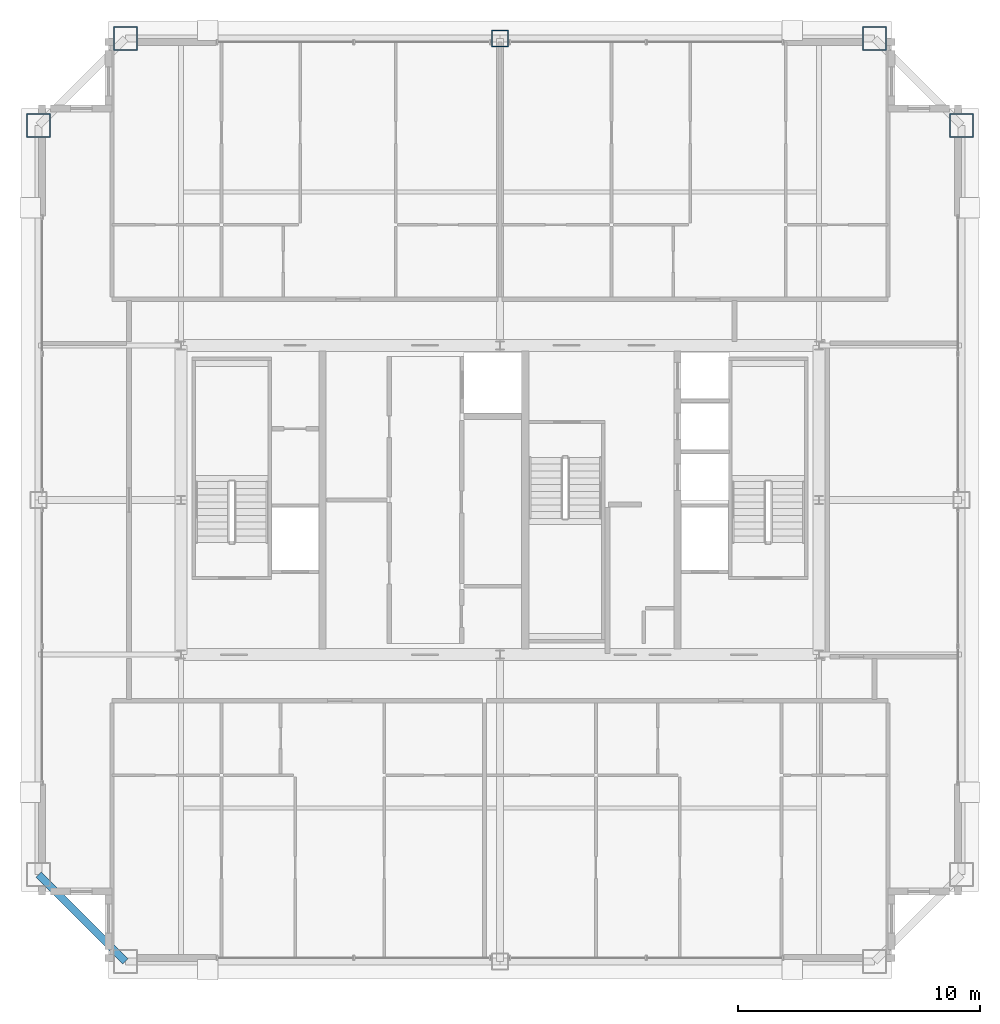
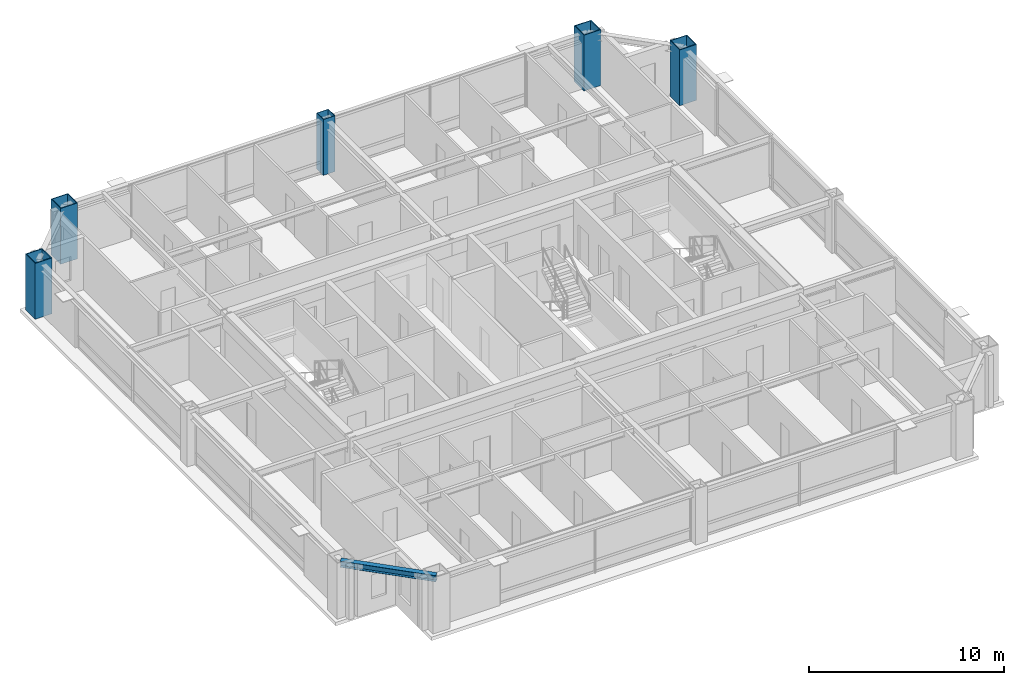
# One storey, part 3 of 35: 5 columns, 1 beam.
"""IFC4 building model written with IfcOpenShell, lengths in metres."""

from ifc_helpers import new_model, si_unit, direction, frame, origin, origin_2d, place, context, subcontext, project, spatial, hollow_rectangle, i_section, extrude, source, transform, mapped, material, material_profile, profile_set, type_object, element, save


model = new_model("IFC4")

# Units and contexts
model_context = context("Model", 3, precision=1e-05, world=origin(), true_north=direction((0.0, 1.0)))
body_context = subcontext(model_context, "Body", "Model", "MODEL_VIEW")
ifc_project = project(units=[si_unit("LENGTHUNIT", "METRE"), si_unit("AREAUNIT", "SQUARE_METRE"), si_unit("VOLUMEUNIT", "CUBIC_METRE"), si_unit("PLANEANGLEUNIT", "RADIAN"), si_unit("MASSUNIT", "GRAM", prefix="KILO"), si_unit("THERMODYNAMICTEMPERATUREUNIT", "KELVIN"), si_unit("POWERUNIT", "WATT")], contexts=[model_context])

# Site, building, storey
site_placement = place(None, origin())
site = spatial("IfcSite", under=ifc_project, at=site_placement, CompositionType="ELEMENT")
building_placement = place(site_placement, origin())
building = spatial("IfcBuilding", under=site, at=building_placement, Name="Yuzanri Waterfront Tower", CompositionType="ELEMENT")
storey_placement = place(building_placement, frame((0.0, 0.0, 296.10009765625)))
storey = spatial("IfcBuildingStorey", under=building, at=storey_placement, Name="L79", CompositionType="ELEMENT", Elevation=296.10009765625)

# Columns
ifc_material_1 = material(Name="Steel Q355B", Category="steel")
ifc_material_profile_1 = material_profile(ifc_material_1, hollow_rectangle(XDim=0.699951171875, YDim=0.699951171875, WallThickness=0.031982421875, at=origin_2d()), Name="RHS 700x700x32")
ifc_profile_set_1 = profile_set([ifc_material_profile_1], Name="Steel Q355B")
column_type_1 = type_object("IfcColumnType", Name="Frame Column Q355B RHS 700x700x32", PredefinedType="COLUMN", material=ifc_profile_set_1)
shared_shape_1 = source(origin(), body_context, "Body", "SweptSolid", [
    extrude(hollow_rectangle(XDim=0.699951171875, YDim=0.699951171875, WallThickness=0.031982421875, at=origin_2d()), origin(), (0.0, 0.0, 1.0), 3.5),
])
column_placement = place(storey_placement, frame((37.0, 44.89990234375, 0.0), z_axis=(0.0, 0.0, 1.0), x_axis=(1.0, 0.0, 0.0)))
element("IfcColumn", 1, at=column_placement, inside=storey, type_object=column_type_1, Name="L79 Perimeter Frame Column N2", PredefinedType="COLUMN", context=body_context, shape_type="MappedRepresentation", body=[
    mapped(shared_shape_1, transform((0.0, 0.0, 0.0), scale=1.0)),
])
ifc_material_2 = material(Name="Steel Q390GJC", Category="steel")
ifc_material_profile_2 = material_profile(ifc_material_2, hollow_rectangle(XDim=1.0, YDim=1.0, WallThickness=0.048095703125, at=origin_2d()), Name="RHS 1000x1000x48")
ifc_profile_set_2 = profile_set([ifc_material_profile_2], Name="Steel Q390GJC")
column_type_2 = type_object("IfcColumnType", Name="Mega Column Q390GJC RHS 1000x1000x48", PredefinedType="COLUMN", material=ifc_profile_set_2)
shared_shape_2 = source(origin(), body_context, "Body", "SweptSolid", [
    extrude(hollow_rectangle(XDim=1.0, YDim=1.0, WallThickness=0.048095703125, at=origin_2d()), origin(), (0.0, 0.0, 1.0), 3.5),
])
for number, where, z_axis, x_axis, name in (
    (2, (21.5, 44.89990234375, 0.0), (0.0, 0.0, 1.0), (1.0, 0.0, 0.0), "L79 Perimeter Mega Column N1"),
    (3, (52.5, 44.89990234375, 0.0), (0.0, 0.0, 1.0), (1.0, 0.0, 0.0), "L79 Perimeter Mega Column N3"),
    (4, (17.89990234375, 41.300048828125, 0.0), (0.0, 0.0, 1.0), (1.0, 0.0, 0.0), "L79 Perimeter Mega Column W3"),
    (5, (56.10009765625, 41.300048828125, 0.0), (0.0, 0.0, 1.0), (1.0, 0.0, 0.0), "L79 Perimeter Mega Column E3"),
):
    element("IfcColumn", number, at=place(storey_placement, frame(where, z_axis=z_axis, x_axis=x_axis)), inside=storey, type_object=column_type_2, Name=name, PredefinedType="COLUMN", context=body_context, shape_type="MappedRepresentation", body=[
        mapped(shared_shape_2, transform((0.0, 0.0, 0.0), scale=1.0)),
    ])

# Beam
ifc_material_3 = material(Name="Steel Q355B", Category="steel")
ifc_material_profile_3 = material_profile(ifc_material_3, i_section(OverallWidth=0.300048828125, OverallDepth=0.389892578125, WebThickness=0.010009765625, FlangeThickness=0.01611328125, at=origin_2d()), Name="HM 390x300x10x16")
ifc_profile_set_3 = profile_set([ifc_material_profile_3], Name="Steel Q355B")
beam_type = type_object("IfcBeamType", Name="Perimeter Spandrel Q355B HM 390x300", PredefinedType="SPANDREL", material=ifc_profile_set_3)
shared_shape_3 = source(origin(), body_context, "Body", "SweptSolid", [
    extrude(i_section(OverallWidth=0.300048828125, OverallDepth=0.389892578125, WebThickness=0.010009765625, FlangeThickness=0.01611328125, at=origin_2d()), origin(), (0.0, 0.0, 1.0), 5.09130859375),
])
beam_placement = place(storey_placement, frame((17.89990234375, 10.300048828125, 3.0849609375), z_axis=(0.707106781187, -0.707106781187, 0.0), x_axis=(0.707106781187, 0.707106781187, 0.0)))
element("IfcBeam", 6, at=beam_placement, inside=storey, type_object=beam_type, Name="L79 Perimeter Spandrel W1-S1", PredefinedType="SPANDREL", context=body_context, shape_type="MappedRepresentation", body=[
    mapped(shared_shape_3, transform((0.0, 0.0, 0.0), scale=1.0)),
])

save(model, "model.ifc")
